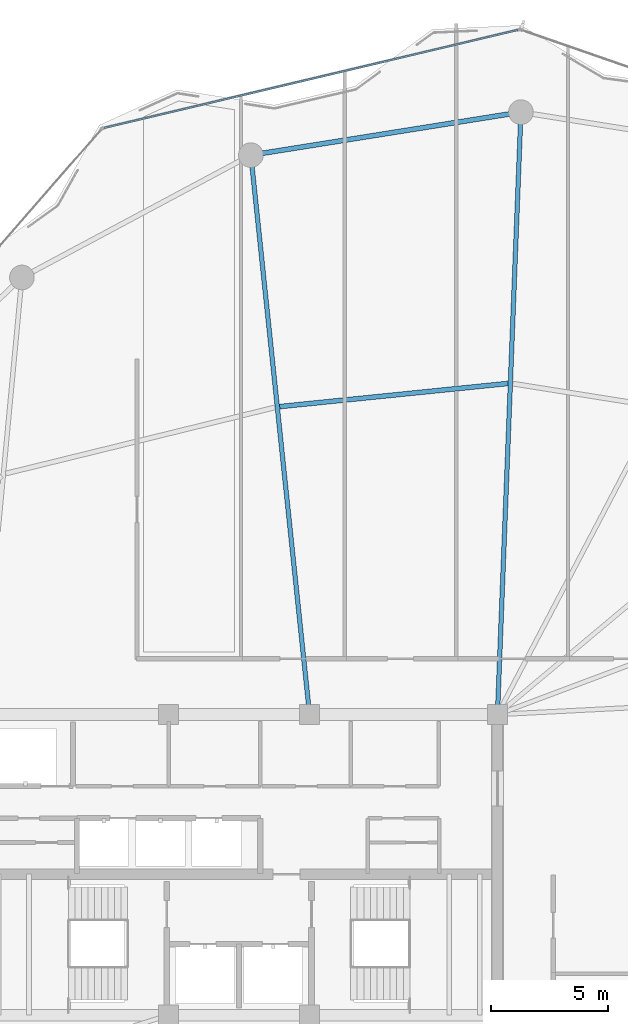
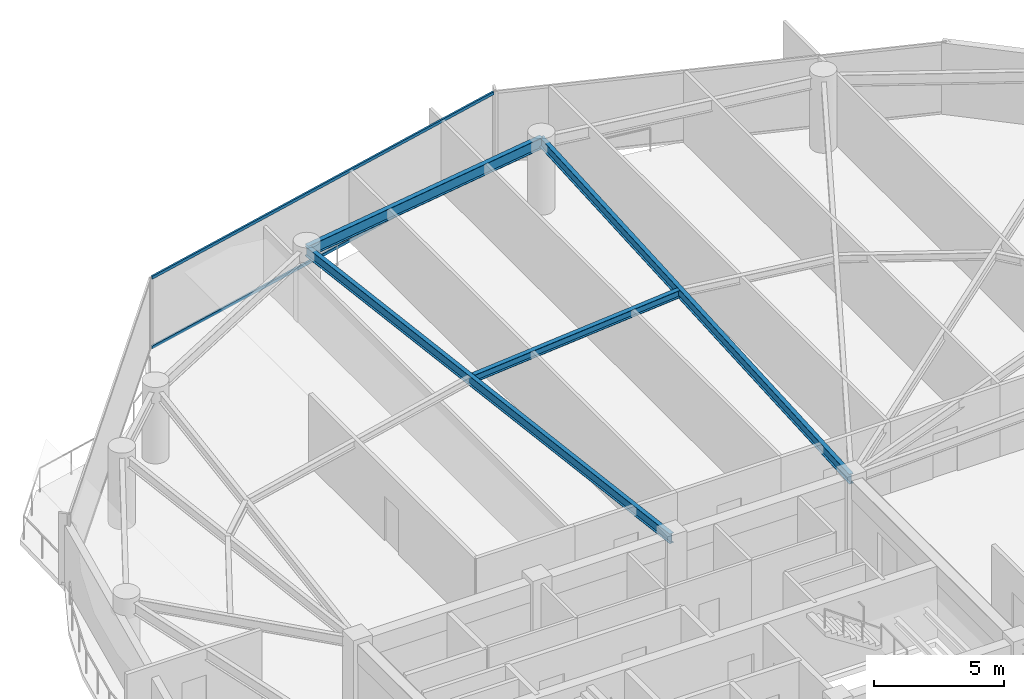
# One storey, part 18 of 28: 4 beams, 2 members, 1 element without a shape of its own.
"""IFC4 building model written with IfcOpenShell, lengths in metres."""

import ifcopenshell
import ifcopenshell.guid

model = None  # the IFC model being written
_history = None  # IfcOwnerHistory: only IFC2X3 demands one
_inside = {}  # id of a spatial element -> (the spatial element, [elements in it])
_under = {}  # id of a project, library or spatial element -> (it, [spatial elements below it])
_declared = {}  # id of a project -> (the project, [libraries it declares])
_typed = {}  # id of a type object -> (the type object, [elements of that type])
_made_of = {}  # id of a material, layer set ... -> (it, [elements and type objects made of it])


def new_model(schema):
    """Start an empty IFC model of exactly this schema.

    Asked for "IFC4X3", IfcOpenShell would pick the latest addendum, in which some entities
    have other attributes; the version numbers below select the first issue.
    IFC2X3 requires an IfcOwnerHistory on every rooted entity: one is made here for all.
    """
    global model, _history
    if schema == "IFC4X3":
        model = ifcopenshell.file(schema_version=(4, 3, 0, 0))
    else:
        model = ifcopenshell.file(schema=schema)
    _inside.clear()
    _under.clear()
    _declared.clear()
    _typed.clear()
    _made_of.clear()
    _history = None
    if model.schema == "IFC2X3":
        org = make("IfcOrganization", Name="unknown")
        user = make(
            "IfcPersonAndOrganization",
            ThePerson=make("IfcPerson", FamilyName="unknown"),
            TheOrganization=org,
        )
        app = make(
            "IfcApplication",
            ApplicationDeveloper=org,
            Version="unknown",
            ApplicationFullName="unknown",
            ApplicationIdentifier="unknown",
        )
        _history = make(
            "IfcOwnerHistory",
            OwningUser=user,
            OwningApplication=app,
            ChangeAction="ADDED",
            CreationDate=0,
        )
    return model


def make(cls, **values):
    """One entity of the class cls with the attributes given. An attribute that is None is left unset."""
    return model.create_entity(
        cls, **{name: value for name, value in values.items() if value is not None}
    )


def rooted(cls, **values):
    """An entity with a GlobalId (a new one), such as an element, a storey or a relation."""
    return make(cls, GlobalId=ifcopenshell.guid.new(), OwnerHistory=_history, **values)


def si_unit(unit_type, name, prefix=None):
    """IfcSIUnit, for example si_unit("LENGTHUNIT", "METRE", prefix="MILLI")."""
    return make("IfcSIUnit", UnitType=unit_type, Prefix=prefix, Name=name)


def assignment(units):
    """IfcUnitAssignment: the units of a project."""
    return None if units is None else make("IfcUnitAssignment", Units=units)


def point(xyz):
    """IfcCartesianPoint."""
    return None if xyz is None else make("IfcCartesianPoint", Coordinates=xyz)


def direction(xyz):
    """IfcDirection."""
    return None if xyz is None else make("IfcDirection", DirectionRatios=xyz)


def frame(location, z_axis=None, x_axis=None):
    """IfcAxis2Placement3D, a coordinate frame: its origin and axes. An axis left out is left unset."""
    return make(
        "IfcAxis2Placement3D",
        Location=point(location),
        Axis=direction(z_axis),
        RefDirection=direction(x_axis),
    )


def frame_2d(location, x_axis=None):
    """IfcAxis2Placement2D, a coordinate frame in the plane: its origin and x axis."""
    return make(
        "IfcAxis2Placement2D", Location=point(location), RefDirection=direction(x_axis)
    )


def origin():
    """The frame at (0, 0, 0) with its axes left unset."""
    return frame((0.0, 0.0, 0.0))


def origin_2d():
    """The frame at (0, 0) in the plane with its x axis left unset."""
    return frame_2d((0.0, 0.0))


def place(relative_to, where):
    """IfcLocalPlacement: puts the frame where relative to a parent placement (None: the world)."""
    return make(
        "IfcLocalPlacement", PlacementRelTo=relative_to, RelativePlacement=where
    )


def context(
    kind, dimensions, precision=None, world=None, true_north=None, identifier=None
):
    """IfcGeometricRepresentationContext, for example the 3D "Model" context."""
    return make(
        "IfcGeometricRepresentationContext",
        ContextIdentifier=identifier,
        ContextType=kind,
        CoordinateSpaceDimension=dimensions,
        Precision=precision,
        WorldCoordinateSystem=world,
        TrueNorth=true_north,
    )


def subcontext(parent, identifier, kind, view, scale=None):
    """IfcGeometricRepresentationSubContext, for example "Body" below "Model"."""
    return make(
        "IfcGeometricRepresentationSubContext",
        ContextIdentifier=identifier,
        ContextType=kind,
        ParentContext=parent,
        TargetScale=scale,
        TargetView=view,
    )


def project(units=None, contexts=None):
    """IfcProject with its units and contexts."""
    return rooted(
        "IfcProject",
        Name="project",
        RepresentationContexts=contexts,
        UnitsInContext=assignment(units),
    )


def spatial(cls, under=None, at=None, **own):
    """A site, building, storey or space (cls), placed at a placement, below another one or the project."""
    s = rooted(cls, ObjectPlacement=at, **own)
    if under is not None:
        _under.setdefault(under.id(), (under, []))[1].append(s)
    return s


def profile(cls, at=None, kind="AREA", **sizes):
    """A parametric profile (cls). Its sizes go by their IFC names, for example OverallWidth=200.0."""
    return make(cls, ProfileType=kind, Position=at, **sizes)


def hollow_rectangle(**sizes):
    """IfcRectangleHollowProfileDef."""
    return profile("IfcRectangleHollowProfileDef", **sizes)


def i_section(**sizes):
    """IfcIShapeProfileDef."""
    return profile("IfcIShapeProfileDef", **sizes)


def extrude(swept, where, along, depth):
    """IfcExtrudedAreaSolid: the profile swept, set in the frame where, extruded along a direction by depth."""
    return make(
        "IfcExtrudedAreaSolid",
        SweptArea=swept,
        Position=where,
        ExtrudedDirection=direction(along),
        Depth=depth,
    )


def shape(context_of_items, identifier, shape_type, items):
    """IfcShapeRepresentation: the items that make up one representation, for example the "Body"."""
    return make(
        "IfcShapeRepresentation",
        ContextOfItems=context_of_items,
        RepresentationIdentifier=identifier,
        RepresentationType=shape_type,
        Items=items,
    )


def material(Name=None, Category=None):
    """IfcMaterial."""
    return make("IfcMaterial", Name=Name, Category=Category)


def layer(
    of_material, thickness, ventilated=None, Name=None, Category=None, Priority=None
):
    """IfcMaterialLayer: one layer of a wall or slab, of a material (None: an air gap)."""
    return make(
        "IfcMaterialLayer",
        Material=of_material,
        LayerThickness=thickness,
        IsVentilated=ventilated,
        Name=Name,
        Category=Category,
        Priority=Priority,
    )


def layer_set(layers, Name=None):
    """IfcMaterialLayerSet."""
    return make("IfcMaterialLayerSet", MaterialLayers=layers, LayerSetName=Name)


def material_profile(
    of_material, cross_section, Name=None, Category=None, Priority=None
):
    """IfcMaterialProfile: a cross section and its material."""
    return make(
        "IfcMaterialProfile",
        Name=Name,
        Material=of_material,
        Profile=cross_section,
        Priority=Priority,
        Category=Category,
    )


def profile_set(profiles, Name=None, composite=None):
    """IfcMaterialProfileSet."""
    return make(
        "IfcMaterialProfileSet",
        Name=Name,
        MaterialProfiles=profiles,
        CompositeProfile=composite,
    )


def made_of(thing, what):
    """Note that an element or type object is made of a material, layer set ...; save() writes the relation."""
    if what is not None:
        _made_of.setdefault(what.id(), (what, []))[1].append(thing)
    return thing


def type_object(cls, material=None, **own):
    """A type object (cls), such as IfcWallType, which elements share."""
    return made_of(rooted(cls, **own), material)


def element(
    cls,
    number,
    at=None,
    inside=None,
    cuts=None,
    type_object=None,
    material=None,
    context=None,
    identifier="Body",
    shape_type=None,
    held_by="IfcProductDefinitionShape",
    body=None,
    shapes=None,
    **own,
):
    """One element of the class cls, such as IfcWall. Its Tag is "e" and its number.

    at: its placement. inside: the storey or other place that contains it. cuts: it is an
    opening in that element (IfcRelVoidsElement). A single representation is given by context,
    identifier, shape_type and body (its items); several are given by shapes. held_by: the class
    of the entity that holds the representations. save() writes the other relations.
    """
    e = rooted(cls, Tag="e%d" % number, ObjectPlacement=at, **own)
    if body is not None:
        shapes = [shape(context, identifier, shape_type, body)]
    if shapes is not None:
        e.Representation = make(held_by, Representations=shapes)
    if inside is not None:
        _inside.setdefault(inside.id(), (inside, []))[1].append(e)
    if cuts is not None:
        rooted(
            "IfcRelVoidsElement", RelatingBuildingElement=cuts, RelatedOpeningElement=e
        )
    if type_object is not None:
        _typed.setdefault(type_object.id(), (type_object, []))[1].append(e)
    return made_of(e, material)


def aggregate(whole, parts):
    """IfcRelAggregates: a whole, such as a stair, and the parts it consists of."""
    return rooted("IfcRelAggregates", RelatingObject=whole, RelatedObjects=parts)


def save(model, path):
    """Write the relations noted so far, then the file.

    IfcRelAggregates (storeys below a building ...), IfcRelContainedInSpatialStructure (elements
    in a storey), IfcRelDefinesByType, IfcRelAssociatesMaterial and IfcRelDeclares: one each for
    every whole, place, type object, material and project.
    """
    for whole, parts in _under.values():
        aggregate(whole, parts)
    for where, things in _inside.values():
        rooted(
            "IfcRelContainedInSpatialStructure",
            RelatedElements=things,
            RelatingStructure=where,
        )
    for kind, things in _typed.values():
        rooted("IfcRelDefinesByType", RelatedObjects=things, RelatingType=kind)
    for what, things in _made_of.values():
        rooted("IfcRelAssociatesMaterial", RelatedObjects=things, RelatingMaterial=what)
    for by, libraries in _declared.values():
        rooted("IfcRelDeclares", RelatingContext=by, RelatedDefinitions=libraries)
    model.write(path)


model = new_model("IFC4")

# Units and contexts
model_context = context("Model", 3, precision=1e-05, world=origin(), true_north=direction((0.0, 1.0)))
body_context = subcontext(model_context, "Body", "Model", "MODEL_VIEW")
ifc_project = project(units=[si_unit("LENGTHUNIT", "METRE"), si_unit("AREAUNIT", "SQUARE_METRE"), si_unit("VOLUMEUNIT", "CUBIC_METRE"), si_unit("PLANEANGLEUNIT", "RADIAN"), si_unit("MASSUNIT", "GRAM", prefix="KILO")], contexts=[model_context])

# Site, building, storey
site_placement = place(None, origin())
site = spatial("IfcSite", under=ifc_project, at=site_placement, CompositionType="ELEMENT")
building_placement = place(site_placement, origin())
building = spatial("IfcBuilding", under=site, at=building_placement, Name="Kazevale Care Tower and Concert Hall", CompositionType="ELEMENT")
storey_placement = place(building_placement, frame((0.0, 0.0, 246.0)))
storey = spatial("IfcBuildingStorey", under=building, at=storey_placement, Name="L65", CompositionType="ELEMENT", Elevation=246.0)

# Curtain wall, members
ifc_material_1 = material(Name="Aluminium 6063-T6 and Low-E Glass", Category="aluminium")
ifc_layer = layer(ifc_material_1, 0.179931640625)
ifc_layer_set = layer_set([ifc_layer], Name="Aluminium 6063-T6 and Low-E Glass")
curtain_wall_type = type_object("IfcCurtainWallType", Name="Waist & Upper Residential Curtain Wall CW-4", PredefinedType="NOTDEFINED", material=ifc_layer_set)
curtain_wall_placement = place(storey_placement, origin())
curtain_wall = element("IfcCurtainWall", 1, at=curtain_wall_placement, inside=storey, type_object=curtain_wall_type, Name="cw:L65:f15", PredefinedType="NOTDEFINED")
ifc_material_2 = material(Name="Aluminium 6063-T6", Category="aluminium")
ifc_material_profile_1 = material_profile(ifc_material_2, hollow_rectangle(XDim=0.080078125, YDim=0.139892578125, WallThickness=0.00390625, at=origin_2d()), Name="ALU80x140x4")
ifc_profile_set_1 = profile_set([ifc_material_profile_1], Name="Aluminium 6063-T6")
member_type = type_object("IfcMemberType", Name="CW-4 Transom ALU80x140x4", PredefinedType="USERDEFINED", material=ifc_profile_set_1)
member_1_placement = place(storey_placement, frame((27.249755859375, 61.37548828125, 0.0400390625), z_axis=(0.973087923042, 0.2304341425, 0.0), x_axis=(-0.2304341425, 0.973087923042, 0.0)))
member_1 = element("IfcMember", 2, at=member_1_placement, type_object=member_type, Name="CW-4 transom 1.1", ObjectType="TRANSOM", PredefinedType="USERDEFINED", context=body_context, shape_type="SweptSolid", body=[
    extrude(hollow_rectangle(XDim=0.080078125, YDim=0.139892578125, WallThickness=0.00390625, at=origin_2d()), origin(), (0.0, 0.0, 1.0), 18.114013671875),
])
member_2_placement = place(storey_placement, frame((27.249755859375, 61.37548828125, 3.320068359375), z_axis=(0.973087923042, 0.2304341425, 0.0), x_axis=(-0.2304341425, 0.973087923042, 0.0)))
member_2 = element("IfcMember", 3, at=member_2_placement, type_object=member_type, Name="CW-4 transom 1.2", ObjectType="TRANSOM", PredefinedType="USERDEFINED", context=body_context, shape_type="SweptSolid", body=[
    extrude(hollow_rectangle(XDim=0.080078125, YDim=0.139892578125, WallThickness=0.00390625, at=origin_2d()), origin(), (0.0, 0.0, 1.0), 18.114013671875),
])
aggregate(curtain_wall, [member_1, member_2])

# Beams
ifc_material_3 = material(Name="Steel ASTM A572 Gr 50", Category="steel")
ifc_material_profile_2 = material_profile(ifc_material_3, i_section(OverallWidth=0.19091796875, OverallDepth=0.4599609375, WebThickness=0.010009765625, FlangeThickness=0.01611328125, at=origin_2d()), Name="W460x82")
ifc_profile_set_2 = profile_set([ifc_material_profile_2], Name="Steel ASTM A572 Gr 50")
beam_type_1 = type_object("IfcBeamType", Name="Radial Floor Beam W460x82", PredefinedType="BEAM", material=ifc_profile_set_2)
beam_1_placement = place(storey_placement, frame((44.0, 36.39990234375, 3.1298828125), z_axis=(0.03895653799, 0.999240905962, 0.0), x_axis=(-0.999240905962, 0.03895653799, 0.0)))
element("IfcBeam", 4, at=beam_1_placement, inside=storey, type_object=beam_type_1, Name="beam:L65:rad:05", PredefinedType="BEAM", context=body_context, shape_type="SweptSolid", body=[
    extrude(i_section(OverallWidth=0.19091796875, OverallDepth=0.4599609375, WebThickness=0.010009765625, FlangeThickness=0.01611328125, at=origin_2d()), origin(), (0.0, 0.0, 1.0), 25.669677734375),
])
beam_2_placement = place(storey_placement, frame((36.0, 36.39990234375, 3.1298828125), z_axis=(-0.104380207012, 0.994537466556, 0.0), x_axis=(-0.994537466556, -0.104380207012, 0.0)))
element("IfcBeam", 5, at=beam_2_placement, inside=storey, type_object=beam_type_1, Name="beam:L65:rad:06", PredefinedType="BEAM", context=body_context, shape_type="SweptSolid", body=[
    extrude(i_section(OverallWidth=0.19091796875, OverallDepth=0.4599609375, WebThickness=0.010009765625, FlangeThickness=0.01611328125, at=origin_2d()), origin(), (0.0, 0.0, 1.0), 23.950927734375),
])
ifc_material_profile_3 = material_profile(ifc_material_3, i_section(OverallWidth=0.205078125, OverallDepth=0.35400390625, WebThickness=0.009521484375, FlangeThickness=0.016845703125, at=origin_2d()), Name="W360x79")
ifc_profile_set_3 = profile_set([ifc_material_profile_3], Name="Steel ASTM A572 Gr 50")
beam_type_2 = type_object("IfcBeamType", Name="Secondary Floor Joist W360x79", PredefinedType="JOIST", material=ifc_profile_set_3)
beam_3_placement = place(storey_placement, frame((44.446044921875, 50.4970703125, 3.18310546875), z_axis=(-0.994900388447, -0.10086236696, 0.0), x_axis=(0.10086236696, -0.994900388447, 0.0)))
element("IfcBeam", 6, at=beam_3_placement, inside=storey, type_object=beam_type_2, Name="beam:L65:joist:05", PredefinedType="JOIST", context=body_context, shape_type="SweptSolid", body=[
    extrude(i_section(OverallWidth=0.205078125, OverallDepth=0.35400390625, WebThickness=0.009521484375, FlangeThickness=0.016845703125, at=origin_2d()), origin(), (0.0, 0.0, 1.0), 9.766845703125),
])
ifc_material_profile_4 = material_profile(ifc_material_3, i_section(OverallWidth=0.208984375, OverallDepth=0.532958984375, WebThickness=0.01025390625, FlangeThickness=0.015625, at=origin_2d()), Name="W530x92")
ifc_profile_set_4 = profile_set([ifc_material_profile_4], Name="Steel ASTM A572 Gr 50")
beam_type_3 = type_object("IfcBeamType", Name="Upper Ring Beam W530x92", PredefinedType="BEAM", material=ifc_profile_set_4)
beam_4_placement = place(storey_placement, frame((45.0, 62.050048828125, 3.093505859375), z_axis=(-0.987573207584, -0.15715966296, 0.0), x_axis=(0.15715966296, -0.987573207584, 0.0)))
element("IfcBeam", 7, at=beam_4_placement, inside=storey, type_object=beam_type_3, Name="beam:L65:ring:05", PredefinedType="BEAM", context=body_context, shape_type="SweptSolid", body=[
    extrude(i_section(OverallWidth=0.208984375, OverallDepth=0.532958984375, WebThickness=0.01025390625, FlangeThickness=0.015625, at=origin_2d()), origin(), (0.0, 0.0, 1.0), 11.644775390625),
])

save(model, "model.ifc")
